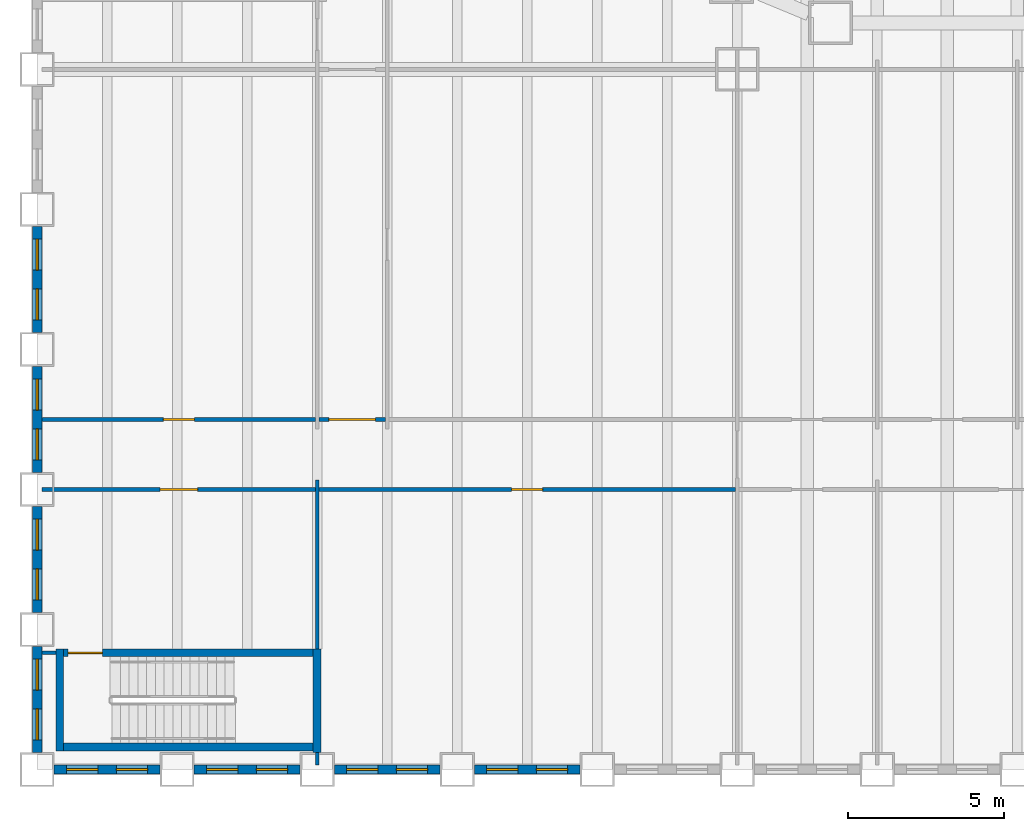
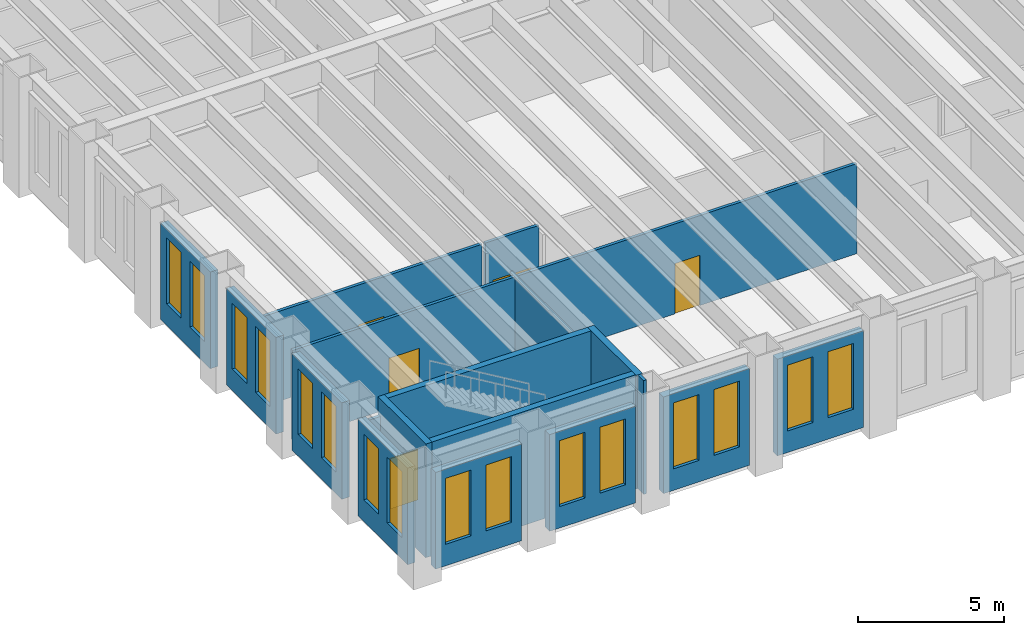
# One storey, part 7 of 19: 19 walls, 16 windows, 5 doors, 21 openings.
"""IFC4 building model written with IfcOpenShell, lengths in metres."""

from ifc_helpers import new_model, si_unit, direction, frame, frame_2d, origin, place, context, subcontext, project, spatial, rectangle, extrude, material, layer, layer_set, type_object, element, fill, save


model = new_model("IFC4")

# Units and contexts
model_context = context("Model", 3, precision=1e-05, world=origin(), true_north=direction((0.0, 1.0)))
body_context = subcontext(model_context, "Body", "Model", "MODEL_VIEW")
ifc_project = project(units=[si_unit("LENGTHUNIT", "METRE"), si_unit("AREAUNIT", "SQUARE_METRE"), si_unit("VOLUMEUNIT", "CUBIC_METRE"), si_unit("PLANEANGLEUNIT", "RADIAN"), si_unit("MASSUNIT", "GRAM", prefix="KILO")], contexts=[model_context])

# Site, building, storey
site_placement = place(None, origin())
site = spatial("IfcSite", under=ifc_project, at=site_placement, CompositionType="ELEMENT")
building_placement = place(site_placement, origin())
building = spatial("IfcBuilding", under=site, at=building_placement, Name="Sennacour Bend Tower", CompositionType="ELEMENT")
storey_placement = place(building_placement, frame((0.0, 0.0, 14.0)))
storey = spatial("IfcBuildingStorey", under=building, at=storey_placement, Name="L02", CompositionType="ELEMENT", Elevation=14.0)

# Walls
ifc_material_1 = material(Name="Plasterboard partition on steel studs", Category="steel")
ifc_layer_1 = layer(ifc_material_1, 0.1201171875, Name="Plasterboard partition on steel studs", Category="steel")
ifc_layer_set_1 = layer_set([ifc_layer_1], Name="Plasterboard partition on steel studs")
wall_type_1 = type_object("IfcWallType", Name="Partition 120", PredefinedType="PARTITIONING", material=ifc_layer_set_1)
wall_1_placement = place(storey_placement, frame((9.0, 0.14990234375, 0.0), z_axis=(0.0, 0.0, 1.0), x_axis=(0.0, 1.0, 0.0)))
element("IfcWall", 1, at=wall_1_placement, inside=storey, type_object=wall_type_1, Name="P-L02-W006a", PredefinedType="PARTITIONING", context=body_context, shape_type="SweptSolid", body=[
    extrude(rectangle(XDim=0.400146484375, YDim=0.1201171875, at=frame_2d((0.2001953125, 0.0))), origin(), (0.0, 0.0, 1.0), 4.75),
])
wall_2_placement = place(storey_placement, frame((9.0, 3.875, 0.0), z_axis=(0.0, 0.0, 1.0), x_axis=(0.0, 1.0, 0.0)))
element("IfcWall", 2, at=wall_2_placement, inside=storey, type_object=wall_type_1, Name="P-L02-W008a", PredefinedType="PARTITIONING", context=body_context, shape_type="SweptSolid", body=[
    extrude(rectangle(XDim=5.425048828125, YDim=0.1201171875, at=frame_2d((2.71240234375, 0.0))), origin(), (0.0, 0.0, 1.0), 3.7587890625),
])
wall_3_placement = place(storey_placement, frame((0.14990234375, 3.75, 0.0), z_axis=(0.0, 0.0, 1.0), x_axis=(1.0, 0.0, 0.0)))
element("IfcWall", 3, at=wall_3_placement, inside=storey, type_object=wall_type_1, Name="P-L02-W044a", PredefinedType="PARTITIONING", context=body_context, shape_type="SweptSolid", body=[
    extrude(rectangle(XDim=0.4501953125, YDim=0.1201171875, at=frame_2d((0.22509765625, 0.0))), origin(), (0.0, 0.0, 1.0), 4.0361328125),
])

# Wall, opening, door
wall_4_placement = place(storey_placement, frame((9.06005859375, 9.0, 0.0), z_axis=(0.0, 0.0, 1.0), x_axis=(1.0, 0.0, 0.0)))
wall_4 = element("IfcWall", 4, at=wall_4_placement, inside=storey, type_object=wall_type_1, Name="P-L02-W050ab", PredefinedType="PARTITIONING", context=body_context, shape_type="SweptSolid", body=[
    extrude(rectangle(XDim=13.3798828125, YDim=0.1201171875, at=frame_2d((6.68994140625, 0.0))), origin(), (0.0, 0.0, 1.0), 3.7587890625),
])
opening_1_placement = place(wall_4_placement, frame((6.18994140625, 0.0, 0.0)))
opening_1 = element("IfcOpeningElement", 5, at=opening_1_placement, cuts=wall_4, Name="Opening OD2", PredefinedType="OPENING", context=body_context, shape_type="SweptSolid", body=[
    extrude(rectangle(XDim=1.0, YDim=2.10009765625, at=frame_2d((0.5, 1.050048828125))), frame((0.0, 0.070068359375, 0.0), z_axis=(0.0, -1.0, 0.0), x_axis=(1.0, 0.0, 0.0)), (0.0, 0.0, 1.0), 0.14013671875),
])
ifc_material_2 = material(Name="Timber", Category="wood")
door_type_1 = type_object("IfcDoorType", Name="DR-OFFICE-1000", OperationType="NOTDEFINED", PredefinedType="DOOR", material=ifc_material_2)
door_1_placement = place(opening_1_placement, origin())
door_1 = element("IfcDoor", 6, at=door_1_placement, inside=storey, type_object=door_type_1, Name="Door", OperationType="SINGLE_SWING_LEFT", OverallHeight=2.10009765625, OverallWidth=1.0, PredefinedType="DOOR", context=body_context, shape_type="SweptSolid", body=[
    extrude(rectangle(XDim=1.0, YDim=2.10009765625, at=frame_2d((0.5, 1.050048828125))), frame((0.0, 0.02490234375, 0.0), z_axis=(0.0, -1.0, 0.0), x_axis=(1.0, 0.0, 0.0)), (0.0, 0.0, 1.0), 0.050048828125),
])
fill(opening_1, door_1)

wall_5_placement = place(storey_placement, frame((0.14990234375, 11.25, 0.0), z_axis=(0.0, 0.0, 1.0), x_axis=(1.0, 0.0, 0.0)))
wall_5 = element("IfcWall", 7, at=wall_5_placement, inside=storey, type_object=wall_type_1, Name="P-L02-W052aa", PredefinedType="PARTITIONING", context=body_context, shape_type="SweptSolid", body=[
    extrude(rectangle(XDim=8.7900390625, YDim=0.1201171875, at=frame_2d((4.39501953125, 0.0))), origin(), (0.0, 0.0, 1.0), 3.7587890625),
])
opening_2_placement = place(wall_5_placement, frame((3.905029296875, 0.0, 0.0)))
opening_2 = element("IfcOpeningElement", 8, at=opening_2_placement, cuts=wall_5, Name="Opening MD2", PredefinedType="OPENING", context=body_context, shape_type="SweptSolid", body=[
    extrude(rectangle(XDim=1.0, YDim=2.10009765625, at=frame_2d((0.5, 1.050048828125))), frame((0.0, 0.070068359375, 0.0), z_axis=(0.0, -1.0, 0.0), x_axis=(1.0, 0.0, 0.0)), (0.0, 0.0, 1.0), 0.14013671875),
])
door_type_2 = type_object("IfcDoorType", Name="DR-MEETING-1000", OperationType="NOTDEFINED", PredefinedType="DOOR", material=ifc_material_2)
door_2_placement = place(opening_2_placement, origin())
door_2 = element("IfcDoor", 9, at=door_2_placement, inside=storey, type_object=door_type_2, Name="Door", OperationType="SINGLE_SWING_RIGHT", OverallHeight=2.10009765625, OverallWidth=1.0, PredefinedType="DOOR", context=body_context, shape_type="SweptSolid", body=[
    extrude(rectangle(XDim=1.0, YDim=2.10009765625, at=frame_2d((0.5, 1.050048828125))), frame((0.0, 0.02490234375, 0.0), z_axis=(0.0, -1.0, 0.0), x_axis=(1.0, 0.0, 0.0)), (0.0, 0.0, 1.0), 0.050048828125),
])
fill(opening_2, door_2)

ifc_layer_2 = layer(ifc_material_1, 0.1201171875, Name="Plasterboard partition on steel studs", Category="steel")
ifc_layer_set_2 = layer_set([ifc_layer_2], Name="Plasterboard partition on steel studs")
wall_type_2 = type_object("IfcWallType", Name="Partition 120 EI 30", PredefinedType="PARTITIONING", material=ifc_layer_set_2)
wall_6_placement = place(storey_placement, frame((0.14990234375, 9.0, 0.0), z_axis=(0.0, 0.0, 1.0), x_axis=(1.0, 0.0, 0.0)))
wall_6 = element("IfcWall", 10, at=wall_6_placement, inside=storey, type_object=wall_type_2, Name="P-L02-W050aa", PredefinedType="PARTITIONING", context=body_context, shape_type="SweptSolid", body=[
    extrude(rectangle(XDim=8.7900390625, YDim=0.1201171875, at=frame_2d((4.39501953125, 0.0))), origin(), (0.0, 0.0, 1.0), 3.7587890625),
])
opening_3_placement = place(wall_6_placement, frame((3.80517578125, 0.0, 0.0)))
opening_3 = element("IfcOpeningElement", 11, at=opening_3_placement, cuts=wall_6, Name="Opening KD2", PredefinedType="OPENING", context=body_context, shape_type="SweptSolid", body=[
    extrude(rectangle(XDim=1.199951171875, YDim=2.10009765625, at=frame_2d((0.60009765625, 1.050048828125))), frame((0.0, 0.070068359375, 0.0), z_axis=(0.0, -1.0, 0.0), x_axis=(1.0, 0.0, 0.0)), (0.0, 0.0, 1.0), 0.14013671875),
])
ifc_material_3 = material(Name="Painted steel", Category="steel")
door_type_3 = type_object("IfcDoorType", Name="DR-CORRIDOR-1200", OperationType="NOTDEFINED", PredefinedType="DOOR", material=ifc_material_3)
door_3_placement = place(opening_3_placement, origin())
door_3 = element("IfcDoor", 12, at=door_3_placement, inside=storey, type_object=door_type_3, Name="Door", OperationType="SINGLE_SWING_RIGHT", OverallHeight=2.10009765625, OverallWidth=1.199951171875, PredefinedType="DOOR", context=body_context, shape_type="SweptSolid", body=[
    extrude(rectangle(XDim=1.199951171875, YDim=2.10009765625, at=frame_2d((0.60009765625, 1.050048828125))), frame((0.0, 0.02490234375, 0.0), z_axis=(0.0, -1.0, 0.0), x_axis=(1.0, 0.0, 0.0)), (0.0, 0.0, 1.0), 0.050048828125),
])
fill(opening_3, door_3)

wall_7_placement = place(storey_placement, frame((9.06005859375, 11.25, 0.0), z_axis=(0.0, 0.0, 1.0), x_axis=(1.0, 0.0, 0.0)))
wall_7 = element("IfcWall", 13, at=wall_7_placement, inside=storey, type_object=wall_type_2, Name="P-L02-W052ab", PredefinedType="PARTITIONING", context=body_context, shape_type="SweptSolid", body=[
    extrude(rectangle(XDim=2.1298828125, YDim=0.1201171875, at=frame_2d((1.06494140625, 0.0))), origin(), (0.0, 0.0, 1.0), 3.7587890625),
])
opening_4_placement = place(wall_7_placement, frame((0.31494140625, 0.0, 0.0)))
opening_4 = element("IfcOpeningElement", 14, at=opening_4_placement, cuts=wall_7, Name="Opening KD", PredefinedType="OPENING", context=body_context, shape_type="SweptSolid", body=[
    extrude(rectangle(XDim=1.5, YDim=2.10009765625, at=frame_2d((0.75, 1.050048828125))), frame((0.0, 0.070068359375, 0.0), z_axis=(0.0, -1.0, 0.0), x_axis=(1.0, 0.0, 0.0)), (0.0, 0.0, 1.0), 0.14013671875),
])
door_type_4 = type_object("IfcDoorType", Name="DR-CORRIDOR-1500", OperationType="NOTDEFINED", PredefinedType="DOOR", material=ifc_material_3)
door_4_placement = place(opening_4_placement, origin())
door_4 = element("IfcDoor", 15, at=door_4_placement, inside=storey, type_object=door_type_4, Name="Door", OperationType="SINGLE_SWING_LEFT", OverallHeight=2.10009765625, OverallWidth=1.5, PredefinedType="DOOR", context=body_context, shape_type="SweptSolid", body=[
    extrude(rectangle(XDim=1.5, YDim=2.10009765625, at=frame_2d((0.75, 1.050048828125))), frame((0.0, 0.02490234375, 0.0), z_axis=(0.0, -1.0, 0.0), x_axis=(1.0, 0.0, 0.0)), (0.0, 0.0, 1.0), 0.050048828125),
])
fill(opening_4, door_4)

# Wall, openings, windows
ifc_material_4 = material(Name="Warm limestone cladding", Category="masonry")
ifc_layer_3 = layer(ifc_material_4, 0.050048828125, Name="Warm limestone cladding", Category="masonry")
ifc_material_5 = material(Name="Precast concrete C40/50", Category="concrete")
ifc_layer_4 = layer(ifc_material_5, 0.25, Name="Precast concrete C40/50", Category="concrete")
ifc_layer_set_3 = layer_set([ifc_layer_3, ifc_layer_4], Name="Precast concrete C40/50 with limestone cladding")
wall_type_3 = type_object("IfcWallType", Name="STONE-CLAD PRECAST SPANDREL 300", PredefinedType="STANDARD", material=ifc_layer_set_3)
wall_8_placement = place(storey_placement, frame((0.0, 17.449951171875, 0.0), z_axis=(0.0, 0.0, 1.0), x_axis=(0.0, -1.0, 0.0)))
wall_8 = element("IfcWall", 16, at=wall_8_placement, inside=storey, type_object=wall_type_3, Name="Stone spandrel and pier wall L02 02.04", PredefinedType="STANDARD", context=body_context, shape_type="SweptSolid", body=[
    extrude(rectangle(XDim=3.39990234375, YDim=0.300048828125, at=frame_2d((1.699951171875, 0.0))), origin(), (0.0, 0.0, 1.0), 4.035888671875),
])
opening_5_placement = place(wall_8_placement, frame((0.39990234375, 0.0, 0.89990234375)))
opening_5 = element("IfcOpeningElement", 17, at=opening_5_placement, cuts=wall_8, Name="Opening W3", PredefinedType="OPENING", context=body_context, shape_type="SweptSolid", body=[
    extrude(rectangle(XDim=1.0, YDim=2.75, at=frame_2d((0.5, 1.375))), frame((0.0, 0.16015625, 0.0), z_axis=(0.0, -1.0, 0.0), x_axis=(1.0, 0.0, 0.0)), (0.0, 0.0, 1.0), 0.320068359375),
])
opening_6_placement = place(wall_8_placement, frame((2.0, 0.0, 0.89990234375)))
opening_6 = element("IfcOpeningElement", 18, at=opening_6_placement, cuts=wall_8, Name="Opening W3", PredefinedType="OPENING", context=body_context, shape_type="SweptSolid", body=[
    extrude(rectangle(XDim=1.0, YDim=2.75, at=frame_2d((0.5, 1.375))), frame((0.0, 0.16015625, 0.0), z_axis=(0.0, -1.0, 0.0), x_axis=(1.0, 0.0, 0.0)), (0.0, 0.0, 1.0), 0.320068359375),
])
ifc_material_6 = material(Name="Clear low-emissivity glass", Category="glass")
window_type = type_object("IfcWindowType", Name="WIN-RIBBON-1000x2750", PartitioningType="SINGLE_PANEL", PredefinedType="WINDOW", material=ifc_material_6)
window_1_placement = place(opening_5_placement, origin())
window_1 = element("IfcWindow", 19, at=window_1_placement, inside=storey, type_object=window_type, Name="Ribbon window L02 02.04.0", OverallHeight=2.75, OverallWidth=1.0, PartitioningType="SINGLE_PANEL", PredefinedType="WINDOW", context=body_context, shape_type="SweptSolid", body=[
    extrude(rectangle(XDim=1.0, YDim=2.75, at=frame_2d((0.5, 1.375))), frame((0.0, 0.030029296875, 0.0), z_axis=(0.0, -1.0, 0.0), x_axis=(1.0, 0.0, 0.0)), (0.0, 0.0, 1.0), 0.06005859375),
])
fill(opening_5, window_1)
window_2_placement = place(opening_6_placement, origin())
window_2 = element("IfcWindow", 20, at=window_2_placement, inside=storey, type_object=window_type, Name="Ribbon window L02 02.04.1", OverallHeight=2.75, OverallWidth=1.0, PartitioningType="SINGLE_PANEL", PredefinedType="WINDOW", context=body_context, shape_type="SweptSolid", body=[
    extrude(rectangle(XDim=1.0, YDim=2.75, at=frame_2d((0.5, 1.375))), frame((0.0, 0.030029296875, 0.0), z_axis=(0.0, -1.0, 0.0), x_axis=(1.0, 0.0, 0.0)), (0.0, 0.0, 1.0), 0.06005859375),
])
fill(opening_6, window_2)

wall_9_placement = place(storey_placement, frame((0.0, 12.949951171875, 0.0), z_axis=(0.0, 0.0, 1.0), x_axis=(0.0, -1.0, 0.0)))
wall_9 = element("IfcWall", 21, at=wall_9_placement, inside=storey, type_object=wall_type_3, Name="Stone spandrel and pier wall L02 02.05", PredefinedType="STANDARD", context=body_context, shape_type="SweptSolid", body=[
    extrude(rectangle(XDim=3.39990234375, YDim=0.300048828125, at=frame_2d((1.699951171875, 0.0))), origin(), (0.0, 0.0, 1.0), 4.035888671875),
])
opening_7_placement = place(wall_9_placement, frame((0.39990234375, 0.0, 0.89990234375)))
opening_7 = element("IfcOpeningElement", 22, at=opening_7_placement, cuts=wall_9, Name="Opening W3", PredefinedType="OPENING", context=body_context, shape_type="SweptSolid", body=[
    extrude(rectangle(XDim=1.0, YDim=2.75, at=frame_2d((0.5, 1.375))), frame((0.0, 0.16015625, 0.0), z_axis=(0.0, -1.0, 0.0), x_axis=(1.0, 0.0, 0.0)), (0.0, 0.0, 1.0), 0.320068359375),
])
opening_8_placement = place(wall_9_placement, frame((2.0, 0.0, 0.89990234375)))
opening_8 = element("IfcOpeningElement", 23, at=opening_8_placement, cuts=wall_9, Name="Opening W3", PredefinedType="OPENING", context=body_context, shape_type="SweptSolid", body=[
    extrude(rectangle(XDim=1.0, YDim=2.75, at=frame_2d((0.5, 1.375))), frame((0.0, 0.16015625, 0.0), z_axis=(0.0, -1.0, 0.0), x_axis=(1.0, 0.0, 0.0)), (0.0, 0.0, 1.0), 0.320068359375),
])
window_3_placement = place(opening_7_placement, origin())
window_3 = element("IfcWindow", 24, at=window_3_placement, inside=storey, type_object=window_type, Name="Ribbon window L02 02.05.0", OverallHeight=2.75, OverallWidth=1.0, PartitioningType="SINGLE_PANEL", PredefinedType="WINDOW", context=body_context, shape_type="SweptSolid", body=[
    extrude(rectangle(XDim=1.0, YDim=2.75, at=frame_2d((0.5, 1.375))), frame((0.0, 0.030029296875, 0.0), z_axis=(0.0, -1.0, 0.0), x_axis=(1.0, 0.0, 0.0)), (0.0, 0.0, 1.0), 0.06005859375),
])
fill(opening_7, window_3)
window_4_placement = place(opening_8_placement, origin())
window_4 = element("IfcWindow", 25, at=window_4_placement, inside=storey, type_object=window_type, Name="Ribbon window L02 02.05.1", OverallHeight=2.75, OverallWidth=1.0, PartitioningType="SINGLE_PANEL", PredefinedType="WINDOW", context=body_context, shape_type="SweptSolid", body=[
    extrude(rectangle(XDim=1.0, YDim=2.75, at=frame_2d((0.5, 1.375))), frame((0.0, 0.030029296875, 0.0), z_axis=(0.0, -1.0, 0.0), x_axis=(1.0, 0.0, 0.0)), (0.0, 0.0, 1.0), 0.06005859375),
])
fill(opening_8, window_4)

wall_10_placement = place(storey_placement, frame((0.0, 8.449951171875, 0.0), z_axis=(0.0, 0.0, 1.0), x_axis=(0.0, -1.0, 0.0)))
wall_10 = element("IfcWall", 26, at=wall_10_placement, inside=storey, type_object=wall_type_3, Name="Stone spandrel and pier wall L02 02.06", PredefinedType="STANDARD", context=body_context, shape_type="SweptSolid", body=[
    extrude(rectangle(XDim=3.39990234375, YDim=0.300048828125, at=frame_2d((1.699951171875, 0.0))), origin(), (0.0, 0.0, 1.0), 4.035888671875),
])
opening_9_placement = place(wall_10_placement, frame((0.39990234375, 0.0, 0.89990234375)))
opening_9 = element("IfcOpeningElement", 27, at=opening_9_placement, cuts=wall_10, Name="Opening W3", PredefinedType="OPENING", context=body_context, shape_type="SweptSolid", body=[
    extrude(rectangle(XDim=1.0, YDim=2.75, at=frame_2d((0.5, 1.375))), frame((0.0, 0.16015625, 0.0), z_axis=(0.0, -1.0, 0.0), x_axis=(1.0, 0.0, 0.0)), (0.0, 0.0, 1.0), 0.320068359375),
])
opening_10_placement = place(wall_10_placement, frame((2.0, 0.0, 0.89990234375)))
opening_10 = element("IfcOpeningElement", 28, at=opening_10_placement, cuts=wall_10, Name="Opening W3", PredefinedType="OPENING", context=body_context, shape_type="SweptSolid", body=[
    extrude(rectangle(XDim=1.0, YDim=2.75, at=frame_2d((0.5, 1.375))), frame((0.0, 0.16015625, 0.0), z_axis=(0.0, -1.0, 0.0), x_axis=(1.0, 0.0, 0.0)), (0.0, 0.0, 1.0), 0.320068359375),
])
window_5_placement = place(opening_9_placement, origin())
window_5 = element("IfcWindow", 29, at=window_5_placement, inside=storey, type_object=window_type, Name="Ribbon window L02 02.06.0", OverallHeight=2.75, OverallWidth=1.0, PartitioningType="SINGLE_PANEL", PredefinedType="WINDOW", context=body_context, shape_type="SweptSolid", body=[
    extrude(rectangle(XDim=1.0, YDim=2.75, at=frame_2d((0.5, 1.375))), frame((0.0, 0.030029296875, 0.0), z_axis=(0.0, -1.0, 0.0), x_axis=(1.0, 0.0, 0.0)), (0.0, 0.0, 1.0), 0.06005859375),
])
fill(opening_9, window_5)
window_6_placement = place(opening_10_placement, origin())
window_6 = element("IfcWindow", 30, at=window_6_placement, inside=storey, type_object=window_type, Name="Ribbon window L02 02.06.1", OverallHeight=2.75, OverallWidth=1.0, PartitioningType="SINGLE_PANEL", PredefinedType="WINDOW", context=body_context, shape_type="SweptSolid", body=[
    extrude(rectangle(XDim=1.0, YDim=2.75, at=frame_2d((0.5, 1.375))), frame((0.0, 0.030029296875, 0.0), z_axis=(0.0, -1.0, 0.0), x_axis=(1.0, 0.0, 0.0)), (0.0, 0.0, 1.0), 0.06005859375),
])
fill(opening_10, window_6)

wall_11_placement = place(storey_placement, frame((0.0, 3.949951171875, 0.0), z_axis=(0.0, 0.0, 1.0), x_axis=(0.0, -1.0, 0.0)))
wall_11 = element("IfcWall", 31, at=wall_11_placement, inside=storey, type_object=wall_type_3, Name="Stone spandrel and pier wall L02 02.07", PredefinedType="STANDARD", context=body_context, shape_type="SweptSolid", body=[
    extrude(rectangle(XDim=3.39990234375, YDim=0.300048828125, at=frame_2d((1.699951171875, 0.0))), origin(), (0.0, 0.0, 1.0), 4.035888671875),
])
opening_11_placement = place(wall_11_placement, frame((0.39990234375, 0.0, 0.89990234375)))
opening_11 = element("IfcOpeningElement", 32, at=opening_11_placement, cuts=wall_11, Name="Opening W3", PredefinedType="OPENING", context=body_context, shape_type="SweptSolid", body=[
    extrude(rectangle(XDim=1.0, YDim=2.75, at=frame_2d((0.5, 1.375))), frame((0.0, 0.16015625, 0.0), z_axis=(0.0, -1.0, 0.0), x_axis=(1.0, 0.0, 0.0)), (0.0, 0.0, 1.0), 0.320068359375),
])
opening_12_placement = place(wall_11_placement, frame((2.0, 0.0, 0.89990234375)))
opening_12 = element("IfcOpeningElement", 33, at=opening_12_placement, cuts=wall_11, Name="Opening W3", PredefinedType="OPENING", context=body_context, shape_type="SweptSolid", body=[
    extrude(rectangle(XDim=1.0, YDim=2.75, at=frame_2d((0.5, 1.375))), frame((0.0, 0.16015625, 0.0), z_axis=(0.0, -1.0, 0.0), x_axis=(1.0, 0.0, 0.0)), (0.0, 0.0, 1.0), 0.320068359375),
])
window_7_placement = place(opening_11_placement, origin())
window_7 = element("IfcWindow", 34, at=window_7_placement, inside=storey, type_object=window_type, Name="Ribbon window L02 02.07.0", OverallHeight=2.75, OverallWidth=1.0, PartitioningType="SINGLE_PANEL", PredefinedType="WINDOW", context=body_context, shape_type="SweptSolid", body=[
    extrude(rectangle(XDim=1.0, YDim=2.75, at=frame_2d((0.5, 1.375))), frame((0.0, 0.030029296875, 0.0), z_axis=(0.0, -1.0, 0.0), x_axis=(1.0, 0.0, 0.0)), (0.0, 0.0, 1.0), 0.06005859375),
])
fill(opening_11, window_7)
window_8_placement = place(opening_12_placement, origin())
window_8 = element("IfcWindow", 35, at=window_8_placement, inside=storey, type_object=window_type, Name="Ribbon window L02 02.07.1", OverallHeight=2.75, OverallWidth=1.0, PartitioningType="SINGLE_PANEL", PredefinedType="WINDOW", context=body_context, shape_type="SweptSolid", body=[
    extrude(rectangle(XDim=1.0, YDim=2.75, at=frame_2d((0.5, 1.375))), frame((0.0, 0.030029296875, 0.0), z_axis=(0.0, -1.0, 0.0), x_axis=(1.0, 0.0, 0.0)), (0.0, 0.0, 1.0), 0.06005859375),
])
fill(opening_12, window_8)

wall_12_placement = place(storey_placement, frame((0.550048828125, 0.0, 0.0), z_axis=(0.0, 0.0, 1.0), x_axis=(1.0, 0.0, 0.0)))
wall_12 = element("IfcWall", 36, at=wall_12_placement, inside=storey, type_object=wall_type_3, Name="Stone spandrel and pier wall L02 03.00", PredefinedType="STANDARD", context=body_context, shape_type="SweptSolid", body=[
    extrude(rectangle(XDim=3.39990234375, YDim=0.300048828125, at=frame_2d((1.699951171875, 0.0))), origin(), (0.0, 0.0, 1.0), 4.035888671875),
])
opening_13_placement = place(wall_12_placement, frame((0.39990234375, 0.0, 0.89990234375)))
opening_13 = element("IfcOpeningElement", 37, at=opening_13_placement, cuts=wall_12, Name="Opening W3", PredefinedType="OPENING", context=body_context, shape_type="SweptSolid", body=[
    extrude(rectangle(XDim=1.0, YDim=2.75, at=frame_2d((0.5, 1.375))), frame((0.0, 0.16015625, 0.0), z_axis=(0.0, -1.0, 0.0), x_axis=(1.0, 0.0, 0.0)), (0.0, 0.0, 1.0), 0.320068359375),
])
opening_14_placement = place(wall_12_placement, frame((2.0, 0.0, 0.89990234375)))
opening_14 = element("IfcOpeningElement", 38, at=opening_14_placement, cuts=wall_12, Name="Opening W3", PredefinedType="OPENING", context=body_context, shape_type="SweptSolid", body=[
    extrude(rectangle(XDim=1.0, YDim=2.75, at=frame_2d((0.5, 1.375))), frame((0.0, 0.16015625, 0.0), z_axis=(0.0, -1.0, 0.0), x_axis=(1.0, 0.0, 0.0)), (0.0, 0.0, 1.0), 0.320068359375),
])
window_9_placement = place(opening_13_placement, origin())
window_9 = element("IfcWindow", 39, at=window_9_placement, inside=storey, type_object=window_type, Name="Ribbon window L02 03.00.0", OverallHeight=2.75, OverallWidth=1.0, PartitioningType="SINGLE_PANEL", PredefinedType="WINDOW", context=body_context, shape_type="SweptSolid", body=[
    extrude(rectangle(XDim=1.0, YDim=2.75, at=frame_2d((0.5, 1.375))), frame((0.0, 0.030029296875, 0.0), z_axis=(0.0, -1.0, 0.0), x_axis=(1.0, 0.0, 0.0)), (0.0, 0.0, 1.0), 0.06005859375),
])
fill(opening_13, window_9)
window_10_placement = place(opening_14_placement, origin())
window_10 = element("IfcWindow", 40, at=window_10_placement, inside=storey, type_object=window_type, Name="Ribbon window L02 03.00.1", OverallHeight=2.75, OverallWidth=1.0, PartitioningType="SINGLE_PANEL", PredefinedType="WINDOW", context=body_context, shape_type="SweptSolid", body=[
    extrude(rectangle(XDim=1.0, YDim=2.75, at=frame_2d((0.5, 1.375))), frame((0.0, 0.030029296875, 0.0), z_axis=(0.0, -1.0, 0.0), x_axis=(1.0, 0.0, 0.0)), (0.0, 0.0, 1.0), 0.06005859375),
])
fill(opening_14, window_10)

wall_13_placement = place(storey_placement, frame((5.050048828125, 0.0, 0.0), z_axis=(0.0, 0.0, 1.0), x_axis=(1.0, 0.0, 0.0)))
wall_13 = element("IfcWall", 41, at=wall_13_placement, inside=storey, type_object=wall_type_3, Name="Stone spandrel and pier wall L02 03.01", PredefinedType="STANDARD", context=body_context, shape_type="SweptSolid", body=[
    extrude(rectangle(XDim=3.39990234375, YDim=0.300048828125, at=frame_2d((1.699951171875, 0.0))), origin(), (0.0, 0.0, 1.0), 4.035888671875),
])
opening_15_placement = place(wall_13_placement, frame((0.39990234375, 0.0, 0.89990234375)))
opening_15 = element("IfcOpeningElement", 42, at=opening_15_placement, cuts=wall_13, Name="Opening W3", PredefinedType="OPENING", context=body_context, shape_type="SweptSolid", body=[
    extrude(rectangle(XDim=1.0, YDim=2.75, at=frame_2d((0.5, 1.375))), frame((0.0, 0.16015625, 0.0), z_axis=(0.0, -1.0, 0.0), x_axis=(1.0, 0.0, 0.0)), (0.0, 0.0, 1.0), 0.320068359375),
])
opening_16_placement = place(wall_13_placement, frame((2.0, 0.0, 0.89990234375)))
opening_16 = element("IfcOpeningElement", 43, at=opening_16_placement, cuts=wall_13, Name="Opening W3", PredefinedType="OPENING", context=body_context, shape_type="SweptSolid", body=[
    extrude(rectangle(XDim=1.0, YDim=2.75, at=frame_2d((0.5, 1.375))), frame((0.0, 0.16015625, 0.0), z_axis=(0.0, -1.0, 0.0), x_axis=(1.0, 0.0, 0.0)), (0.0, 0.0, 1.0), 0.320068359375),
])
window_11_placement = place(opening_15_placement, origin())
window_11 = element("IfcWindow", 44, at=window_11_placement, inside=storey, type_object=window_type, Name="Ribbon window L02 03.01.0", OverallHeight=2.75, OverallWidth=1.0, PartitioningType="SINGLE_PANEL", PredefinedType="WINDOW", context=body_context, shape_type="SweptSolid", body=[
    extrude(rectangle(XDim=1.0, YDim=2.75, at=frame_2d((0.5, 1.375))), frame((0.0, 0.030029296875, 0.0), z_axis=(0.0, -1.0, 0.0), x_axis=(1.0, 0.0, 0.0)), (0.0, 0.0, 1.0), 0.06005859375),
])
fill(opening_15, window_11)
window_12_placement = place(opening_16_placement, origin())
window_12 = element("IfcWindow", 45, at=window_12_placement, inside=storey, type_object=window_type, Name="Ribbon window L02 03.01.1", OverallHeight=2.75, OverallWidth=1.0, PartitioningType="SINGLE_PANEL", PredefinedType="WINDOW", context=body_context, shape_type="SweptSolid", body=[
    extrude(rectangle(XDim=1.0, YDim=2.75, at=frame_2d((0.5, 1.375))), frame((0.0, 0.030029296875, 0.0), z_axis=(0.0, -1.0, 0.0), x_axis=(1.0, 0.0, 0.0)), (0.0, 0.0, 1.0), 0.06005859375),
])
fill(opening_16, window_12)

wall_14_placement = place(storey_placement, frame((9.550048828125, 0.0, 0.0), z_axis=(0.0, 0.0, 1.0), x_axis=(1.0, 0.0, 0.0)))
wall_14 = element("IfcWall", 46, at=wall_14_placement, inside=storey, type_object=wall_type_3, Name="Stone spandrel and pier wall L02 03.02", PredefinedType="STANDARD", context=body_context, shape_type="SweptSolid", body=[
    extrude(rectangle(XDim=3.39990234375, YDim=0.300048828125, at=frame_2d((1.699951171875, 0.0))), origin(), (0.0, 0.0, 1.0), 4.035888671875),
])
opening_17_placement = place(wall_14_placement, frame((0.39990234375, 0.0, 0.89990234375)))
opening_17 = element("IfcOpeningElement", 47, at=opening_17_placement, cuts=wall_14, Name="Opening W3", PredefinedType="OPENING", context=body_context, shape_type="SweptSolid", body=[
    extrude(rectangle(XDim=1.0, YDim=2.75, at=frame_2d((0.5, 1.375))), frame((0.0, 0.16015625, 0.0), z_axis=(0.0, -1.0, 0.0), x_axis=(1.0, 0.0, 0.0)), (0.0, 0.0, 1.0), 0.320068359375),
])
opening_18_placement = place(wall_14_placement, frame((2.0, 0.0, 0.89990234375)))
opening_18 = element("IfcOpeningElement", 48, at=opening_18_placement, cuts=wall_14, Name="Opening W3", PredefinedType="OPENING", context=body_context, shape_type="SweptSolid", body=[
    extrude(rectangle(XDim=1.0, YDim=2.75, at=frame_2d((0.5, 1.375))), frame((0.0, 0.16015625, 0.0), z_axis=(0.0, -1.0, 0.0), x_axis=(1.0, 0.0, 0.0)), (0.0, 0.0, 1.0), 0.320068359375),
])
window_13_placement = place(opening_17_placement, origin())
window_13 = element("IfcWindow", 49, at=window_13_placement, inside=storey, type_object=window_type, Name="Ribbon window L02 03.02.0", OverallHeight=2.75, OverallWidth=1.0, PartitioningType="SINGLE_PANEL", PredefinedType="WINDOW", context=body_context, shape_type="SweptSolid", body=[
    extrude(rectangle(XDim=1.0, YDim=2.75, at=frame_2d((0.5, 1.375))), frame((0.0, 0.030029296875, 0.0), z_axis=(0.0, -1.0, 0.0), x_axis=(1.0, 0.0, 0.0)), (0.0, 0.0, 1.0), 0.06005859375),
])
fill(opening_17, window_13)
window_14_placement = place(opening_18_placement, origin())
window_14 = element("IfcWindow", 50, at=window_14_placement, inside=storey, type_object=window_type, Name="Ribbon window L02 03.02.1", OverallHeight=2.75, OverallWidth=1.0, PartitioningType="SINGLE_PANEL", PredefinedType="WINDOW", context=body_context, shape_type="SweptSolid", body=[
    extrude(rectangle(XDim=1.0, YDim=2.75, at=frame_2d((0.5, 1.375))), frame((0.0, 0.030029296875, 0.0), z_axis=(0.0, -1.0, 0.0), x_axis=(1.0, 0.0, 0.0)), (0.0, 0.0, 1.0), 0.06005859375),
])
fill(opening_18, window_14)

wall_15_placement = place(storey_placement, frame((14.050048828125, 0.0, 0.0), z_axis=(0.0, 0.0, 1.0), x_axis=(1.0, 0.0, 0.0)))
wall_15 = element("IfcWall", 51, at=wall_15_placement, inside=storey, type_object=wall_type_3, Name="Stone spandrel and pier wall L02 03.03", PredefinedType="STANDARD", context=body_context, shape_type="SweptSolid", body=[
    extrude(rectangle(XDim=3.39990234375, YDim=0.300048828125, at=frame_2d((1.699951171875, 0.0))), origin(), (0.0, 0.0, 1.0), 4.035888671875),
])
opening_19_placement = place(wall_15_placement, frame((0.39990234375, 0.0, 0.89990234375)))
opening_19 = element("IfcOpeningElement", 52, at=opening_19_placement, cuts=wall_15, Name="Opening W3", PredefinedType="OPENING", context=body_context, shape_type="SweptSolid", body=[
    extrude(rectangle(XDim=1.0, YDim=2.75, at=frame_2d((0.5, 1.375))), frame((0.0, 0.16015625, 0.0), z_axis=(0.0, -1.0, 0.0), x_axis=(1.0, 0.0, 0.0)), (0.0, 0.0, 1.0), 0.320068359375),
])
opening_20_placement = place(wall_15_placement, frame((2.0, 0.0, 0.89990234375)))
opening_20 = element("IfcOpeningElement", 53, at=opening_20_placement, cuts=wall_15, Name="Opening W3", PredefinedType="OPENING", context=body_context, shape_type="SweptSolid", body=[
    extrude(rectangle(XDim=1.0, YDim=2.75, at=frame_2d((0.5, 1.375))), frame((0.0, 0.16015625, 0.0), z_axis=(0.0, -1.0, 0.0), x_axis=(1.0, 0.0, 0.0)), (0.0, 0.0, 1.0), 0.320068359375),
])
window_15_placement = place(opening_19_placement, origin())
window_15 = element("IfcWindow", 54, at=window_15_placement, inside=storey, type_object=window_type, Name="Ribbon window L02 03.03.0", OverallHeight=2.75, OverallWidth=1.0, PartitioningType="SINGLE_PANEL", PredefinedType="WINDOW", context=body_context, shape_type="SweptSolid", body=[
    extrude(rectangle(XDim=1.0, YDim=2.75, at=frame_2d((0.5, 1.375))), frame((0.0, 0.030029296875, 0.0), z_axis=(0.0, -1.0, 0.0), x_axis=(1.0, 0.0, 0.0)), (0.0, 0.0, 1.0), 0.06005859375),
])
fill(opening_19, window_15)
window_16_placement = place(opening_20_placement, origin())
window_16 = element("IfcWindow", 55, at=window_16_placement, inside=storey, type_object=window_type, Name="Ribbon window L02 03.03.1", OverallHeight=2.75, OverallWidth=1.0, PartitioningType="SINGLE_PANEL", PredefinedType="WINDOW", context=body_context, shape_type="SweptSolid", body=[
    extrude(rectangle(XDim=1.0, YDim=2.75, at=frame_2d((0.5, 1.375))), frame((0.0, 0.030029296875, 0.0), z_axis=(0.0, -1.0, 0.0), x_axis=(1.0, 0.0, 0.0)), (0.0, 0.0, 1.0), 0.06005859375),
])
fill(opening_20, window_16)

# Walls
ifc_material_7 = material(Name="Concrete C60/75", Category="concrete")
ifc_layer_5 = layer(ifc_material_7, 0.25, Name="Concrete C60/75", Category="concrete")
ifc_layer_set_4 = layer_set([ifc_layer_5], Name="Concrete C60/75")
wall_type_4 = type_object("IfcWallType", Name="Stair wall 250", PredefinedType="SHEAR", material=ifc_layer_set_4)
wall_16_placement = place(storey_placement, frame((0.72509765625, 0.60009765625, 0.0), z_axis=(0.0, 0.0, 1.0), x_axis=(0.0, 1.0, 0.0)))
element("IfcWall", 56, at=wall_16_placement, inside=storey, type_object=wall_type_4, Name="P-L02-W002", PredefinedType="SHEAR", context=body_context, shape_type="SweptSolid", body=[
    extrude(rectangle(XDim=3.27490234375, YDim=0.25, at=frame_2d((1.637451171875, 0.0))), origin(), (0.0, 0.0, 1.0), 4.75),
])
wall_17_placement = place(storey_placement, frame((9.0, 0.550048828125, 0.0), z_axis=(0.0, 0.0, 1.0), x_axis=(0.0, 1.0, 0.0)))
element("IfcWall", 57, at=wall_17_placement, inside=storey, type_object=wall_type_4, Name="P-L02-W007", PredefinedType="SHEAR", context=body_context, shape_type="SweptSolid", body=[
    extrude(rectangle(XDim=3.324951171875, YDim=0.25, at=frame_2d((1.66259765625, 0.0))), origin(), (0.0, 0.0, 1.0), 4.75),
])
wall_18_placement = place(storey_placement, frame((0.85009765625, 0.72509765625, 0.0), z_axis=(0.0, 0.0, 1.0), x_axis=(1.0, 0.0, 0.0)))
element("IfcWall", 58, at=wall_18_placement, inside=storey, type_object=wall_type_4, Name="P-L02-W042", PredefinedType="SHEAR", context=body_context, shape_type="SweptSolid", body=[
    extrude(rectangle(XDim=8.02490234375, YDim=0.25, at=frame_2d((4.012451171875, 0.0))), origin(), (0.0, 0.0, 1.0), 4.75),
])

# Wall, opening, door
wall_19_placement = place(storey_placement, frame((0.85009765625, 3.75, 0.0), z_axis=(0.0, 0.0, 1.0), x_axis=(1.0, 0.0, 0.0)))
wall_19 = element("IfcWall", 59, at=wall_19_placement, inside=storey, type_object=wall_type_4, Name="P-L02-W045", PredefinedType="SHEAR", context=body_context, shape_type="SweptSolid", body=[
    extrude(rectangle(XDim=8.02490234375, YDim=0.25, at=frame_2d((4.012451171875, 0.0))), origin(), (0.0, 0.0, 1.0), 4.75),
])
opening_21_placement = place(wall_19_placement, frame((0.14990234375, 0.0, 0.0)))
opening_21 = element("IfcOpeningElement", 60, at=opening_21_placement, cuts=wall_19, Name="Opening SD", PredefinedType="OPENING", context=body_context, shape_type="SweptSolid", body=[
    extrude(rectangle(XDim=1.10009765625, YDim=2.10009765625, at=frame_2d((0.550048828125, 1.050048828125))), frame((0.0, 0.135009765625, 0.0), z_axis=(0.0, -1.0, 0.0), x_axis=(1.0, 0.0, 0.0)), (0.0, 0.0, 1.0), 0.27001953125),
])
door_type_5 = type_object("IfcDoorType", Name="DR-STAIR-1100", OperationType="NOTDEFINED", PredefinedType="DOOR", material=ifc_material_3)
door_5_placement = place(opening_21_placement, origin())
door_5 = element("IfcDoor", 61, at=door_5_placement, inside=storey, type_object=door_type_5, Name="Door", OperationType="SINGLE_SWING_LEFT", OverallHeight=2.10009765625, OverallWidth=1.10009765625, PredefinedType="DOOR", context=body_context, shape_type="SweptSolid", body=[
    extrude(rectangle(XDim=1.10009765625, YDim=2.10009765625, at=frame_2d((0.550048828125, 1.050048828125))), frame((0.0, 0.02490234375, 0.0), z_axis=(0.0, -1.0, 0.0), x_axis=(1.0, 0.0, 0.0)), (0.0, 0.0, 1.0), 0.050048828125),
])
fill(opening_21, door_5)

save(model, "model.ifc")
